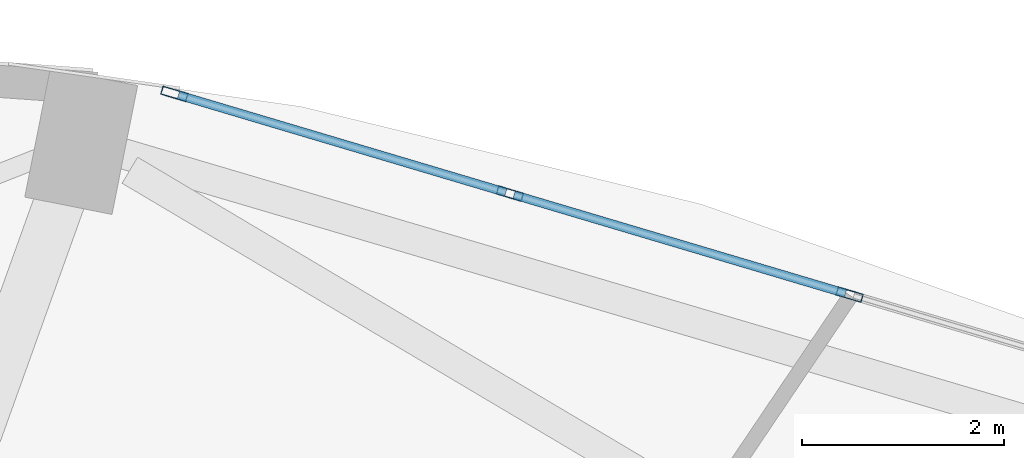
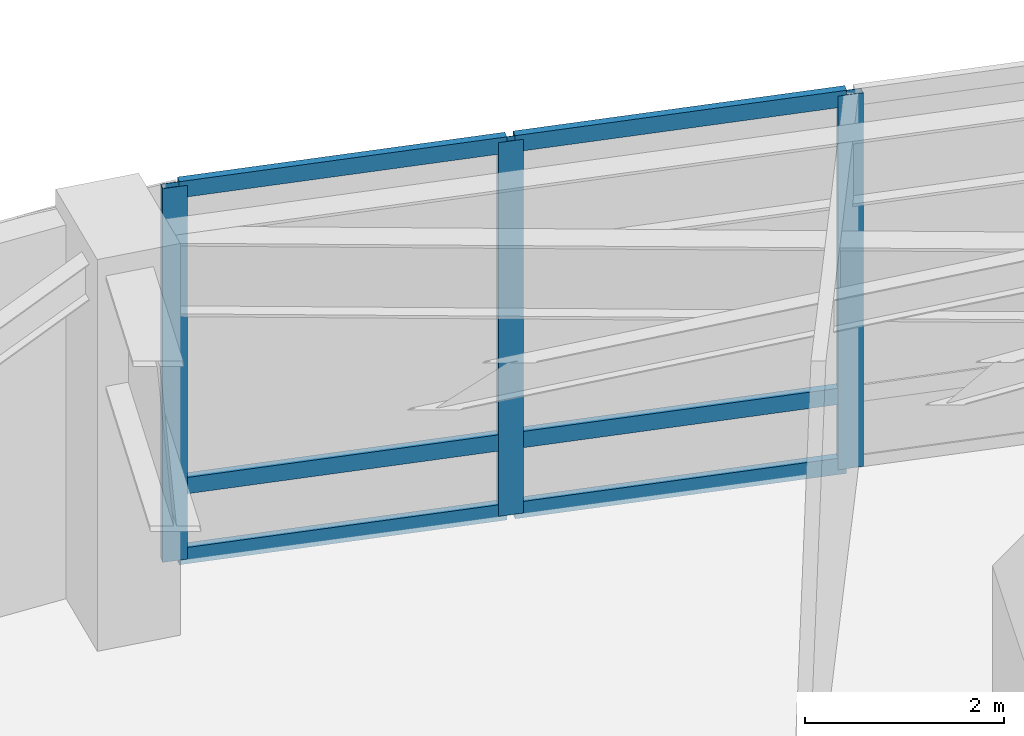
# One storey, part 18 of 24: 9 members, 1 element without a shape of its own.
"""IFC4 building model written with IfcOpenShell, lengths in metres."""

from ifc_helpers import new_model, si_unit, direction, frame, origin, origin_2d, place, context, subcontext, project, spatial, hollow_rectangle, extrude, material, layer, layer_set, material_profile, profile_set, type_object, element, aggregate, save


model = new_model("IFC4")

# Units and contexts
model_context = context("Model", 3, precision=1e-05, world=origin(), true_north=direction((0.0, 1.0)))
body_context = subcontext(model_context, "Body", "Model", "MODEL_VIEW")
ifc_project = project(units=[si_unit("LENGTHUNIT", "METRE"), si_unit("AREAUNIT", "SQUARE_METRE"), si_unit("VOLUMEUNIT", "CUBIC_METRE"), si_unit("PLANEANGLEUNIT", "RADIAN"), si_unit("MASSUNIT", "GRAM", prefix="KILO")], contexts=[model_context])

# Site, building, storey
site_placement = place(None, origin())
site = spatial("IfcSite", under=ifc_project, at=site_placement, CompositionType="ELEMENT")
building_placement = place(site_placement, origin())
building = spatial("IfcBuilding", under=site, at=building_placement, Name="Lazwardi Medical Tower", CompositionType="ELEMENT")
storey_placement = place(building_placement, frame((0.0, 0.0, 20.39990234375)))
storey = spatial("IfcBuildingStorey", under=building, at=storey_placement, Name="L04", CompositionType="ELEMENT", Elevation=20.39990234375)

# Curtain wall, members
ifc_material_1 = material(Name="Anodised bronze aluminium and solar control glazing", Category="aluminium")
ifc_layer = layer(ifc_material_1, 0.219970703125)
ifc_layer_set = layer_set([ifc_layer], Name="Anodised bronze aluminium and solar control glazing")
curtain_wall_type = type_object("IfcCurtainWallType", Name="CW-SYS-01", PredefinedType="NOTDEFINED", material=ifc_layer_set)
curtain_wall_placement = place(storey_placement, origin())
curtain_wall = element("IfcCurtainWall", 1, at=curtain_wall_placement, inside=storey, type_object=curtain_wall_type, Name="L04 Unitised bronze curtain wall CW-01", PredefinedType="NOTDEFINED")
ifc_material_2 = material(Name="Anodised bronze aluminium", Category="aluminium")
ifc_material_profile_1 = material_profile(ifc_material_2, hollow_rectangle(XDim=0.0849609375, YDim=0.260009765625, WallThickness=0.0048828125, at=origin_2d()), Name="ALU-MULLION 260x85x5")
ifc_profile_set_1 = profile_set([ifc_material_profile_1], Name="Anodised bronze aluminium")
member_type_1 = type_object("IfcMemberType", Name="CW-MUL-02", PredefinedType="MULLION", material=ifc_profile_set_1)
member_1_placement = place(storey_placement, frame((49.71240234375, 50.754150390625, 0.0), z_axis=(0.0, 0.0, 1.0), x_axis=(-0.285047195531, -0.958513482597, 0.0)))
member_1 = element("IfcMember", 2, at=member_1_placement, type_object=member_type_1, Name="CW-01 mullion 2", PredefinedType="MULLION", context=body_context, shape_type="SweptSolid", body=[
    extrude(hollow_rectangle(XDim=0.0849609375, YDim=0.260009765625, WallThickness=0.0048828125, at=origin_2d()), origin(), (0.0, 0.0, 1.0), 4.580078125),
])
member_2_placement = place(storey_placement, frame((46.350341796875, 51.754150390625, 0.0), z_axis=(0.0, 0.0, 1.0), x_axis=(-0.285047195531, -0.958513482597, 0.0)))
member_2 = element("IfcMember", 3, at=member_2_placement, type_object=member_type_1, Name="CW-01 mullion 3", PredefinedType="MULLION", context=body_context, shape_type="SweptSolid", body=[
    extrude(hollow_rectangle(XDim=0.0849609375, YDim=0.260009765625, WallThickness=0.0048828125, at=origin_2d()), origin(), (0.0, 0.0, 1.0), 4.580078125),
])
member_3_placement = place(storey_placement, frame((43.02880859375, 52.74169921875, 0.0), z_axis=(0.0, 0.0, 1.0), x_axis=(-0.285047195531, -0.958513482597, 0.0)))
member_3 = element("IfcMember", 4, at=member_3_placement, type_object=member_type_1, Name="CW-01 mullion 4", PredefinedType="MULLION", context=body_context, shape_type="SweptSolid", body=[
    extrude(hollow_rectangle(XDim=0.0849609375, YDim=0.260009765625, WallThickness=0.0048828125, at=origin_2d()), origin(), (0.0, 0.0, 1.0), 4.580078125),
])
ifc_material_profile_2 = material_profile(ifc_material_2, hollow_rectangle(XDim=0.0849609375, YDim=0.199951171875, WallThickness=0.00439453125, at=origin_2d()), Name="ALU-TRANSOM 200x85x4.5")
ifc_profile_set_2 = profile_set([ifc_material_profile_2], Name="Anodised bronze aluminium")
member_type_2 = type_object("IfcMemberType", Name="CW-TRN-02", PredefinedType="USERDEFINED", material=ifc_profile_set_2)
member_4_placement = place(storey_placement, frame((49.671875, 50.766357421875, 0.04248046875), z_axis=(-0.958518450342, 0.285030490219, 0.0), x_axis=(-0.285030490219, -0.958518450342, 0.0)))
member_4 = element("IfcMember", 5, at=member_4_placement, type_object=member_type_2, Name="CW-01 transom 2.1", ObjectType="TRANSOM", PredefinedType="USERDEFINED", context=body_context, shape_type="SweptSolid", body=[
    extrude(hollow_rectangle(XDim=0.0849609375, YDim=0.199951171875, WallThickness=0.00439453125, at=origin_2d()), origin(), (0.0, 0.0, 1.0), 3.4228515625),
])
member_5_placement = place(storey_placement, frame((49.671875, 50.766357421875, 0.900146484375), z_axis=(-0.958518450342, 0.285030490219, 0.0), x_axis=(-0.285030490219, -0.958518450342, 0.0)))
member_5 = element("IfcMember", 6, at=member_5_placement, type_object=member_type_2, Name="CW-01 transom 2.2", ObjectType="TRANSOM", PredefinedType="USERDEFINED", context=body_context, shape_type="SweptSolid", body=[
    extrude(hollow_rectangle(XDim=0.0849609375, YDim=0.199951171875, WallThickness=0.00439453125, at=origin_2d()), origin(), (0.0, 0.0, 1.0), 3.4228515625),
])
member_6_placement = place(storey_placement, frame((49.671875, 50.766357421875, 4.53759765625), z_axis=(-0.958518450342, 0.285030490219, 0.0), x_axis=(-0.285030490219, -0.958518450342, 0.0)))
member_6 = element("IfcMember", 7, at=member_6_placement, type_object=member_type_2, Name="CW-01 transom 2.3", ObjectType="TRANSOM", PredefinedType="USERDEFINED", context=body_context, shape_type="SweptSolid", body=[
    extrude(hollow_rectangle(XDim=0.0849609375, YDim=0.199951171875, WallThickness=0.00439453125, at=origin_2d()), origin(), (0.0, 0.0, 1.0), 3.4228515625),
])
member_7_placement = place(storey_placement, frame((46.3095703125, 51.76611328125, 0.04248046875), z_axis=(-0.958505424522, 0.285074290603, 0.0), x_axis=(-0.285074290603, -0.958505424522, 0.0)))
member_7 = element("IfcMember", 8, at=member_7_placement, type_object=member_type_2, Name="CW-01 transom 3.1", ObjectType="TRANSOM", PredefinedType="USERDEFINED", context=body_context, shape_type="SweptSolid", body=[
    extrude(hollow_rectangle(XDim=0.0849609375, YDim=0.199951171875, WallThickness=0.00439453125, at=origin_2d()), origin(), (0.0, 0.0, 1.0), 3.38037109375),
])
member_8_placement = place(storey_placement, frame((46.3095703125, 51.76611328125, 0.900146484375), z_axis=(-0.958505424522, 0.285074290603, 0.0), x_axis=(-0.285074290603, -0.958505424522, 0.0)))
member_8 = element("IfcMember", 9, at=member_8_placement, type_object=member_type_2, Name="CW-01 transom 3.2", ObjectType="TRANSOM", PredefinedType="USERDEFINED", context=body_context, shape_type="SweptSolid", body=[
    extrude(hollow_rectangle(XDim=0.0849609375, YDim=0.199951171875, WallThickness=0.00439453125, at=origin_2d()), origin(), (0.0, 0.0, 1.0), 3.38037109375),
])
member_9_placement = place(storey_placement, frame((46.3095703125, 51.76611328125, 4.53759765625), z_axis=(-0.958505424522, 0.285074290603, 0.0), x_axis=(-0.285074290603, -0.958505424522, 0.0)))
member_9 = element("IfcMember", 10, at=member_9_placement, type_object=member_type_2, Name="CW-01 transom 3.3", ObjectType="TRANSOM", PredefinedType="USERDEFINED", context=body_context, shape_type="SweptSolid", body=[
    extrude(hollow_rectangle(XDim=0.0849609375, YDim=0.199951171875, WallThickness=0.00439453125, at=origin_2d()), origin(), (0.0, 0.0, 1.0), 3.38037109375),
])
aggregate(curtain_wall, [member_1, member_2, member_3, member_4, member_5, member_6, member_7, member_8, member_9])

save(model, "model.ifc")
